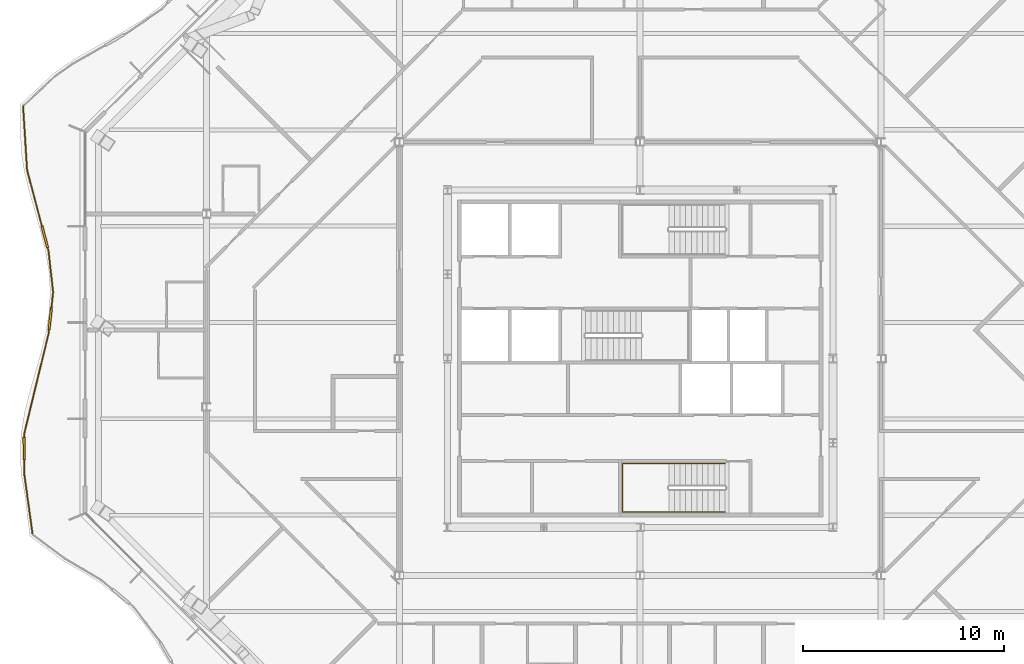
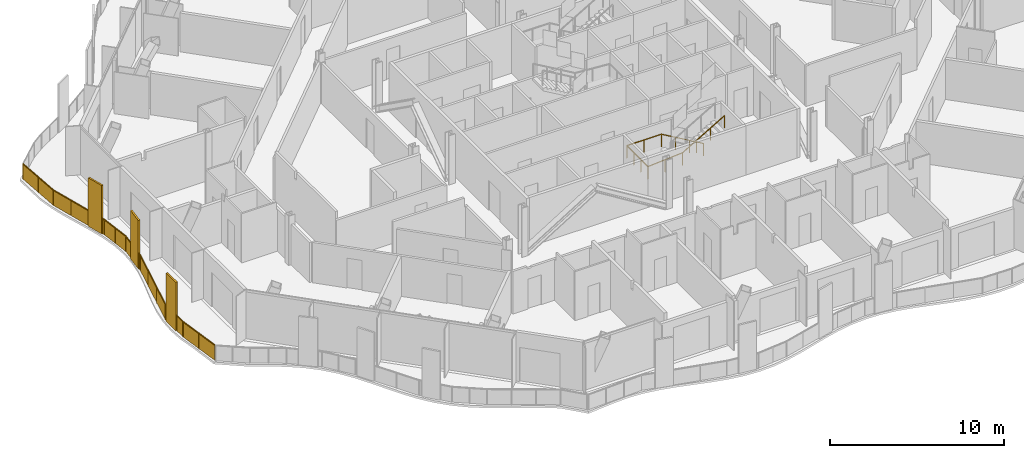
# One storey, part 15 of 21: 2 railings.
"""IFC4 building model written with IfcOpenShell, lengths in metres."""

from ifc_helpers import new_model, si_unit, direction, frame, origin, origin_2d, place, context, subcontext, project, spatial, polyline, rectangle, outline, extrude, material, type_object, element, save


model = new_model("IFC4")

# Units and contexts
model_context = context("Model", 3, precision=1e-05, world=origin(), true_north=direction((0.0, 1.0)))
body_context = subcontext(model_context, "Body", "Model", "MODEL_VIEW")
ifc_project = project(units=[si_unit("LENGTHUNIT", "METRE"), si_unit("AREAUNIT", "SQUARE_METRE"), si_unit("VOLUMEUNIT", "CUBIC_METRE"), si_unit("PLANEANGLEUNIT", "RADIAN"), si_unit("MASSUNIT", "GRAM", prefix="KILO")], contexts=[model_context])

# Site, building, storey
site_placement = place(None, origin())
site = spatial("IfcSite", under=ifc_project, at=site_placement, CompositionType="ELEMENT")
building_placement = place(site_placement, origin())
building = spatial("IfcBuilding", under=site, at=building_placement, Name="Cairn Pilgrim Tower", CompositionType="ELEMENT")
storey_placement = place(building_placement, frame((0.0, 0.0, 179.39990234375)))
storey = spatial("IfcBuildingStorey", under=building, at=storey_placement, Name="L45", CompositionType="ELEMENT", Elevation=179.39990234375)

# Railings
ifc_material_1 = material(Name="Bronze anodised aluminium rail, posts and fin screens with laminated glass infill", Category="aluminium")
railing_type_1 = type_object("IfcRailingType", Name="BALCONY GUARD WITH FIN SCREENS", PredefinedType="GUARDRAIL", material=ifc_material_1)
railing_1_placement = place(storey_placement, frame((-23.54541015625, 14.981201171875, 0.0)))
element("IfcRailing", 1, at=railing_1_placement, inside=storey, type_object=railing_type_1, Name="Balcony guard BGF-7 with fin screens", PredefinedType="GUARDRAIL", context=body_context, shape_type="SweptSolid", body=[
    extrude(rectangle(XDim=0.050048828125, YDim=0.050048828125, at=origin_2d()), frame((0.0, 0.0, 1.0751953125), z_axis=(0.061719564598, -0.99809353036, 0.0), x_axis=(0.99809353036, 0.061719564598, 0.0)), (0.0, 0.0, 1.0), 3.184326171875),
    extrude(rectangle(XDim=1.10009765625, YDim=0.110107421875, at=origin_2d()), frame((1.0791015625, -6.5146484375, 0.0), z_axis=(0.0, 0.0, 1.0), x_axis=(0.255701389068, -0.966755811789, 0.0)), (0.0, 0.0, 1.0), 3.39990234375),
    extrude(rectangle(XDim=0.050048828125, YDim=0.050048828125, at=origin_2d()), frame((0.196533203125, -3.17822265625, 1.0751953125), z_axis=(0.255701389068, -0.966755811789, 0.0), x_axis=(0.966755811789, 0.255701389068, 0.0)), (0.0, 0.0, 1.0), 2.901123046875),
    extrude(rectangle(XDim=0.050048828125, YDim=0.050048828125, at=origin_2d()), frame((1.2197265625, -7.04638671875, 1.0751953125), z_axis=(0.255701389068, -0.966755811789, 0.0), x_axis=(0.966755811789, 0.255701389068, 0.0)), (0.0, 0.0, 1.0), 0.176025390625),
    extrude(rectangle(XDim=0.050048828125, YDim=0.050048828125, at=origin_2d()), frame((1.2646484375, -7.216552734375, 1.0751953125), z_axis=(0.112380917019, -0.993665199899, 0.0), x_axis=(0.993665199899, 0.112380917019, 0.0)), (0.0, 0.0, 1.0), 2.0615234375),
    extrude(rectangle(XDim=1.10009765625, YDim=0.110107421875, at=origin_2d()), frame((1.352294921875, -10.591796875, 0.0), z_axis=(0.0, 0.0, 1.0), x_axis=(-0.10799805119, -0.994151105687, 0.0)), (0.0, 0.0, 1.0), 3.39990234375),
    extrude(rectangle(XDim=0.050048828125, YDim=0.050048828125, at=origin_2d()), frame((1.496337890625, -9.26513671875, 1.0751953125), z_axis=(-0.10799805119, -0.994151105687, 0.0), x_axis=(0.994151105687, -0.10799805119, 0.0)), (0.0, 0.0, 1.0), 0.78466796875),
    extrude(rectangle(XDim=0.050048828125, YDim=0.050048828125, at=origin_2d()), frame((1.292724609375, -11.138671875, 1.0751953125), z_axis=(-0.10799805119, -0.994151105687, 0.0), x_axis=(0.994151105687, -0.10799805119, 0.0)), (0.0, 0.0, 1.0), 0.1748046875),
    extrude(rectangle(XDim=0.050048828125, YDim=0.050048828125, at=origin_2d()), frame((1.27392578125, -11.3125, 1.0751953125), z_axis=(-0.23637798131, -0.971661180634, 0.0), x_axis=(0.971661180634, -0.23637798131, 0.0)), (0.0, 0.0, 1.0), 5.191162109375),
    extrude(rectangle(XDim=1.10009765625, YDim=0.110107421875, at=origin_2d()), frame((0.0517578125, -17.056640625, 0.0), z_axis=(0.0, 0.0, 1.0), x_axis=(0.007105051575, -0.999974758802, 0.0)), (0.0, 0.0, 1.0), 3.39990234375),
    extrude(rectangle(XDim=0.050048828125, YDim=0.050048828125, at=origin_2d()), frame((0.046875, -16.3564453125, 1.0751953125), z_axis=(0.007105051575, -0.999974758802, 0.0), x_axis=(0.999974758802, 0.007105051575, 0.0)), (0.0, 0.0, 1.0), 0.150146484375),
    extrude(rectangle(XDim=0.050048828125, YDim=0.050048828125, at=origin_2d()), frame((0.0556640625, -17.6064453125, 1.0751953125), z_axis=(0.007105051575, -0.999974758802, 0.0), x_axis=(0.999974758802, 0.007105051575, 0.0)), (0.0, 0.0, 1.0), 0.742919921875),
    extrude(rectangle(XDim=0.050048828125, YDim=0.050048828125, at=origin_2d()), frame((0.06103515625, -18.349365234375, 1.0751953125), z_axis=(0.136925058977, -0.990581409186, 0.0), x_axis=(0.990581409186, 0.136925058977, 0.0)), (0.0, 0.0, 1.0), 2.9580078125),
    extrude(rectangle(XDim=0.050048828125, YDim=0.050048828125, at=origin_2d()), origin(), (0.0, 0.0, 1.0), 1.050048828125),
    extrude(rectangle(XDim=0.050048828125, YDim=0.050048828125, at=origin_2d()), frame((0.09814453125, -1.589111328125, 0.0)), (0.0, 0.0, 1.0), 1.050048828125),
    extrude(rectangle(XDim=0.050048828125, YDim=0.050048828125, at=origin_2d()), frame((0.196533203125, -3.17822265625, 0.0)), (0.0, 0.0, 1.0), 1.050048828125),
    extrude(rectangle(XDim=0.050048828125, YDim=0.050048828125, at=origin_2d()), frame((0.564208984375, -4.568359375, 0.0)), (0.0, 0.0, 1.0), 1.050048828125),
    extrude(rectangle(XDim=0.050048828125, YDim=0.050048828125, at=origin_2d()), frame((0.931884765625, -5.958740234375, 0.0)), (0.0, 0.0, 1.0), 1.050048828125),
    extrude(rectangle(XDim=0.050048828125, YDim=0.050048828125, at=origin_2d()), frame((1.22607421875, -7.070556640625, 0.0)), (0.0, 0.0, 1.0), 1.050048828125),
    extrude(rectangle(XDim=0.050048828125, YDim=0.050048828125, at=origin_2d()), frame((1.2646484375, -7.216552734375, 0.0)), (0.0, 0.0, 1.0), 1.050048828125),
    extrude(rectangle(XDim=0.050048828125, YDim=0.050048828125, at=origin_2d()), frame((1.38037109375, -8.24072265625, 0.0)), (0.0, 0.0, 1.0), 1.050048828125),
    extrude(rectangle(XDim=0.050048828125, YDim=0.050048828125, at=origin_2d()), frame((1.496337890625, -9.26513671875, 0.0)), (0.0, 0.0, 1.0), 1.050048828125),
    extrude(rectangle(XDim=0.050048828125, YDim=0.050048828125, at=origin_2d()), frame((1.414306640625, -10.020263671875, 0.0)), (0.0, 0.0, 1.0), 1.050048828125),
    extrude(rectangle(XDim=0.050048828125, YDim=0.050048828125, at=origin_2d()), frame((1.2900390625, -11.16357421875, 0.0)), (0.0, 0.0, 1.0), 1.050048828125),
    extrude(rectangle(XDim=0.050048828125, YDim=0.050048828125, at=origin_2d()), frame((1.27392578125, -11.3125, 0.0)), (0.0, 0.0, 1.0), 1.050048828125),
    extrude(rectangle(XDim=0.050048828125, YDim=0.050048828125, at=origin_2d()), frame((0.864990234375, -12.993896484375, 0.0)), (0.0, 0.0, 1.0), 1.050048828125),
    extrude(rectangle(XDim=0.050048828125, YDim=0.050048828125, at=origin_2d()), frame((0.455810546875, -14.675048828125, 0.0)), (0.0, 0.0, 1.0), 1.050048828125),
    extrude(rectangle(XDim=0.050048828125, YDim=0.050048828125, at=origin_2d()), frame((0.046875, -16.3564453125, 0.0)), (0.0, 0.0, 1.0), 1.050048828125),
    extrude(rectangle(XDim=0.050048828125, YDim=0.050048828125, at=origin_2d()), frame((0.0478515625, -16.4814453125, 0.0)), (0.0, 0.0, 1.0), 1.050048828125),
    extrude(rectangle(XDim=0.050048828125, YDim=0.050048828125, at=origin_2d()), frame((0.055908203125, -17.631591796875, 0.0)), (0.0, 0.0, 1.0), 1.050048828125),
    extrude(rectangle(XDim=0.050048828125, YDim=0.050048828125, at=origin_2d()), frame((0.06103515625, -18.349365234375, 0.0)), (0.0, 0.0, 1.0), 1.050048828125),
    extrude(rectangle(XDim=0.050048828125, YDim=0.050048828125, at=origin_2d()), frame((0.263671875, -19.814453125, 0.0)), (0.0, 0.0, 1.0), 1.050048828125),
    extrude(rectangle(XDim=0.050048828125, YDim=0.050048828125, at=origin_2d()), frame((0.466064453125, -21.279541015625, 0.0)), (0.0, 0.0, 1.0), 1.050048828125),
    extrude(outline(polyline([(0.02490234375, 0.0), (1.567138671875, 0.0), (1.567138671875, 1.050048828125), (0.02490234375, 1.050048828125), (0.02490234375, 0.0)])), frame((0.005859375, 0.00048828125, 0.0), z_axis=(-0.99809353036, -0.061719564598, 0.0), x_axis=(0.061719564598, -0.99809353036, 0.0)), (0.0, 0.0, 1.0), 0.011962890625),
    extrude(outline(polyline([(0.02490234375, 0.0), (1.567138671875, 0.0), (1.567138671875, 1.050048828125), (0.02490234375, 1.050048828125), (0.02490234375, 0.0)])), frame((0.104248046875, -1.588623046875, 0.0), z_axis=(-0.99809353036, -0.061719564598, 0.0), x_axis=(0.061719564598, -0.99809353036, 0.0)), (0.0, 0.0, 1.0), 0.011962890625),
    extrude(outline(polyline([(0.02490234375, 0.0), (1.4130859375, 0.0), (1.4130859375, 1.050048828125), (0.02490234375, 1.050048828125), (0.02490234375, 0.0)])), frame((0.202392578125, -3.1767578125, 0.0), z_axis=(-0.966755811789, -0.255701389068, 0.0), x_axis=(0.255701389068, -0.966755811789, 0.0)), (0.0, 0.0, 1.0), 0.011962890625),
    extrude(outline(polyline([(0.02490234375, 0.0), (1.4130859375, 0.0), (1.4130859375, 1.050048828125), (0.02490234375, 1.050048828125), (0.02490234375, 0.0)])), frame((0.570068359375, -4.56689453125, 0.0), z_axis=(-0.966755811789, -0.255701389068, 0.0), x_axis=(0.255701389068, -0.966755811789, 0.0)), (0.0, 0.0, 1.0), 0.011962890625),
    extrude(outline(polyline([(0.02490234375, 0.0), (0.1259765625, 0.0), (0.1259765625, 1.050048828125), (0.02490234375, 1.050048828125), (0.02490234375, 0.0)])), frame((1.231689453125, -7.069091796875, 0.0), z_axis=(-0.966755811789, -0.255701389068, 0.0), x_axis=(0.255701389068, -0.966755811789, 0.0)), (0.0, 0.0, 1.0), 0.011962890625),
    extrude(outline(polyline([(0.02490234375, 0.0), (1.005859375, 0.0), (1.005859375, 1.050048828125), (0.02490234375, 1.050048828125), (0.02490234375, 0.0)])), frame((1.2705078125, -7.2158203125, 0.0), z_axis=(-0.993665199899, -0.112380917019, 0.0), x_axis=(0.112380917019, -0.993665199899, 0.0)), (0.0, 0.0, 1.0), 0.011962890625),
    extrude(outline(polyline([(0.02490234375, 0.0), (1.005859375, 0.0), (1.005859375, 1.050048828125), (0.02490234375, 1.050048828125), (0.02490234375, 0.0)])), frame((1.386474609375, -8.240234375, 0.0), z_axis=(-0.993665199899, -0.112380917019, 0.0), x_axis=(0.112380917019, -0.993665199899, 0.0)), (0.0, 0.0, 1.0), 0.011962890625),
    extrude(outline(polyline([(0.02490234375, 0.0), (0.734619140625, 0.0), (0.734619140625, 1.050048828125), (0.02490234375, 1.050048828125), (0.02490234375, 0.0)])), frame((1.502197265625, -9.265869140625, 0.0), z_axis=(-0.994151105687, 0.10799805119, 0.0), x_axis=(-0.10799805119, -0.994151105687, 0.0)), (0.0, 0.0, 1.0), 0.011962890625),
    extrude(outline(polyline([(0.02490234375, 0.0), (0.124755859375, 0.0), (0.124755859375, 1.050048828125), (0.02490234375, 1.050048828125), (0.02490234375, 0.0)])), frame((1.296142578125, -11.164306640625, 0.0), z_axis=(-0.994151105687, 0.10799805119, 0.0), x_axis=(-0.10799805119, -0.994151105687, 0.0)), (0.0, 0.0, 1.0), 0.011962890625),
    extrude(outline(polyline([(0.02490234375, 0.0), (1.705322265625, 0.0), (1.705322265625, 1.050048828125), (0.02490234375, 1.050048828125), (0.02490234375, 0.0)])), frame((1.27978515625, -11.31396484375, 0.0), z_axis=(-0.971661180634, 0.23637798131, 0.0), x_axis=(-0.23637798131, -0.971661180634, 0.0)), (0.0, 0.0, 1.0), 0.011962890625),
    extrude(outline(polyline([(0.02490234375, 0.0), (1.705322265625, 0.0), (1.705322265625, 1.050048828125), (0.02490234375, 1.050048828125), (0.02490234375, 0.0)])), frame((0.87060546875, -12.9951171875, 0.0), z_axis=(-0.971661180634, 0.23637798131, 0.0), x_axis=(-0.23637798131, -0.971661180634, 0.0)), (0.0, 0.0, 1.0), 0.011962890625),
    extrude(outline(polyline([(0.02490234375, 0.0), (1.705322265625, 0.0), (1.705322265625, 1.050048828125), (0.02490234375, 1.050048828125), (0.02490234375, 0.0)])), frame((0.461669921875, -14.676513671875, 0.0), z_axis=(-0.971661180634, 0.23637798131, 0.0), x_axis=(-0.23637798131, -0.971661180634, 0.0)), (0.0, 0.0, 1.0), 0.011962890625),
    extrude(outline(polyline([(0.02490234375, 0.0), (0.10009765625, 0.0), (0.10009765625, 1.050048828125), (0.02490234375, 1.050048828125), (0.02490234375, 0.0)])), frame((0.052734375, -16.3564453125, 0.0), z_axis=(-0.999974758802, -0.007105051575, 0.0), x_axis=(0.007105051575, -0.999974758802, 0.0)), (0.0, 0.0, 1.0), 0.011962890625),
    extrude(outline(polyline([(0.02490234375, 0.0), (0.69287109375, 0.0), (0.69287109375, 1.050048828125), (0.02490234375, 1.050048828125), (0.02490234375, 0.0)])), frame((0.06201171875, -17.631591796875, 0.0), z_axis=(-0.999974758802, -0.007105051575, 0.0), x_axis=(0.007105051575, -0.999974758802, 0.0)), (0.0, 0.0, 1.0), 0.011962890625),
    extrude(outline(polyline([(0.02490234375, 0.0), (1.4541015625, 0.0), (1.4541015625, 1.050048828125), (0.02490234375, 1.050048828125), (0.02490234375, 0.0)])), frame((0.06689453125, -18.3486328125, 0.0), z_axis=(-0.990581409186, -0.136925058977, 0.0), x_axis=(0.136925058977, -0.990581409186, 0.0)), (0.0, 0.0, 1.0), 0.011962890625),
    extrude(outline(polyline([(0.02490234375, 0.0), (1.4541015625, 0.0), (1.4541015625, 1.050048828125), (0.02490234375, 1.050048828125), (0.02490234375, 0.0)])), frame((0.26953125, -19.813720703125, 0.0), z_axis=(-0.990581409186, -0.136925058977, 0.0), x_axis=(0.136925058977, -0.990581409186, 0.0)), (0.0, 0.0, 1.0), 0.011962890625),
])
ifc_material_2 = material(Name="Painted steel", Category="steel")
railing_type_2 = type_object("IfcRailingType", Name="STAIR HANDRAIL 900", PredefinedType="HANDRAIL", material=ifc_material_2)
railing_2_placement = place(storey_placement, frame((11.425048828125, -2.824951171875, 0.163818359375)))
element("IfcRailing", 2, at=railing_2_placement, inside=storey, type_object=railing_type_2, Name="L45 ST-A stair handrail 1", PredefinedType="HANDRAIL", context=body_context, shape_type="SweptSolid", body=[
    extrude(rectangle(XDim=0.048095703125, YDim=0.048095703125, at=origin_2d()), frame((0.0, 0.0, 0.8759765625), z_axis=(-0.863393664356, 0.0, 0.504530851732), x_axis=(0.0, -1.0, 0.0)), (0.0, 0.0, 1.0), 3.2431640625),
    extrude(rectangle(XDim=0.048095703125, YDim=0.048095703125, at=origin_2d()), frame((-2.800048828125, 0.0, 2.51220703125), z_axis=(-1.0, 0.0, 0.0), x_axis=(0.0, -1.0, 0.0)), (0.0, 0.0, 1.0), 2.300048828125),
    extrude(rectangle(XDim=0.048095703125, YDim=0.048095703125, at=origin_2d()), frame((-5.10009765625, 0.0, 2.51220703125), z_axis=(0.0, -1.0, 0.0), x_axis=(1.0, 0.0, 0.0)), (0.0, 0.0, 1.0), 2.425048828125),
    extrude(rectangle(XDim=0.048095703125, YDim=0.048095703125, at=origin_2d()), frame((-5.10009765625, -2.425048828125, 2.51220703125), z_axis=(0.997480687736, 0.0, 0.070938548008), x_axis=(0.0, 1.0, 0.0)), (0.0, 0.0, 1.0), 2.305908203125),
    extrude(rectangle(XDim=0.048095703125, YDim=0.048095703125, at=origin_2d()), frame((-2.800048828125, -2.425048828125, 2.67578125), z_axis=(0.863360870873, 0.0, 0.504586966384), x_axis=(0.0, 1.0, 0.0)), (0.0, 0.0, 1.0), 3.2431640625),
    extrude(rectangle(XDim=0.0419921875, YDim=0.0419921875, at=origin_2d()), origin(), (0.0, 0.0, 1.0), 0.851806640625),
    extrude(rectangle(XDim=0.0419921875, YDim=0.0419921875, at=origin_2d()), frame((-0.933349609375, 0.0, 0.54541015625)), (0.0, 0.0, 1.0), 0.851806640625),
    extrude(rectangle(XDim=0.0419921875, YDim=0.0419921875, at=origin_2d()), frame((-1.86669921875, 0.0, 1.0908203125)), (0.0, 0.0, 1.0), 0.851806640625),
    extrude(rectangle(XDim=0.0419921875, YDim=0.0419921875, at=origin_2d()), frame((-2.800048828125, 0.0, 1.63623046875)), (0.0, 0.0, 1.0), 0.851806640625),
    extrude(rectangle(XDim=0.0419921875, YDim=0.0419921875, at=origin_2d()), frame((-3.9501953125, 0.0, 1.63623046875)), (0.0, 0.0, 1.0), 0.851806640625),
    extrude(rectangle(XDim=0.0419921875, YDim=0.0419921875, at=origin_2d()), frame((-5.10009765625, 0.0, 1.63623046875)), (0.0, 0.0, 1.0), 0.851806640625),
    extrude(rectangle(XDim=0.0419921875, YDim=0.0419921875, at=origin_2d()), frame((-5.10009765625, -0.808349609375, 1.63623046875)), (0.0, 0.0, 1.0), 0.851806640625),
    extrude(rectangle(XDim=0.0419921875, YDim=0.0419921875, at=origin_2d()), frame((-5.10009765625, -1.61669921875, 1.63623046875)), (0.0, 0.0, 1.0), 0.851806640625),
    extrude(rectangle(XDim=0.0419921875, YDim=0.0419921875, at=origin_2d()), frame((-5.10009765625, -2.425048828125, 1.63623046875)), (0.0, 0.0, 1.0), 0.851806640625),
    extrude(rectangle(XDim=0.0419921875, YDim=0.0419921875, at=origin_2d()), frame((-3.9501953125, -2.425048828125, 1.718017578125)), (0.0, 0.0, 1.0), 0.851806640625),
    extrude(rectangle(XDim=0.0419921875, YDim=0.0419921875, at=origin_2d()), frame((-2.800048828125, -2.425048828125, 1.7998046875)), (0.0, 0.0, 1.0), 0.851806640625),
    extrude(rectangle(XDim=0.0419921875, YDim=0.0419921875, at=origin_2d()), frame((-1.86669921875, -2.425048828125, 2.34521484375)), (0.0, 0.0, 1.0), 0.851806640625),
    extrude(rectangle(XDim=0.0419921875, YDim=0.0419921875, at=origin_2d()), frame((-0.933349609375, -2.425048828125, 2.890869140625)), (0.0, 0.0, 1.0), 0.851806640625),
    extrude(rectangle(XDim=0.0419921875, YDim=0.0419921875, at=origin_2d()), frame((0.0, -2.425048828125, 3.436279296875)), (0.0, 0.0, 1.0), 0.851806640625),
])

save(model, "model.ifc")
